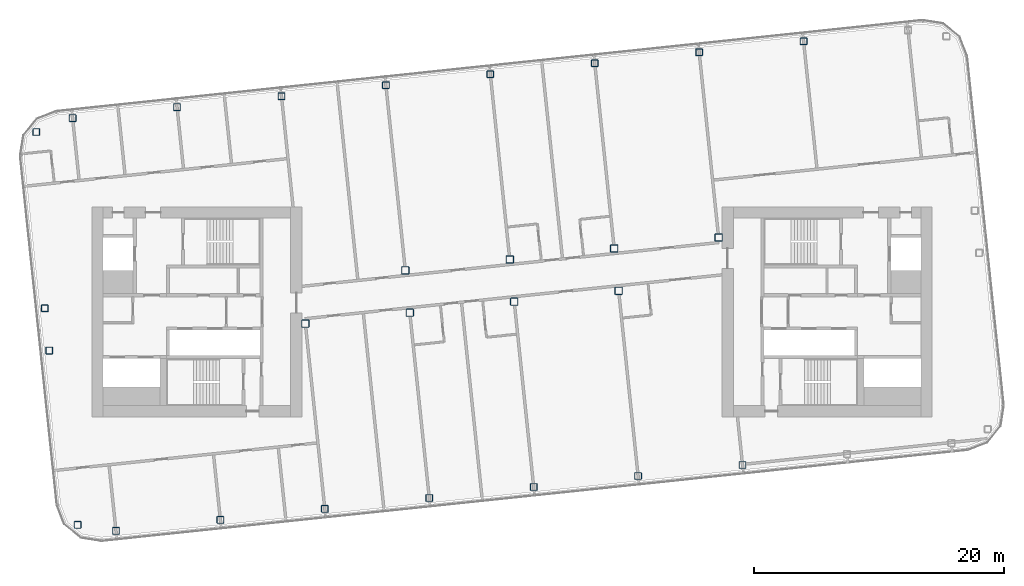
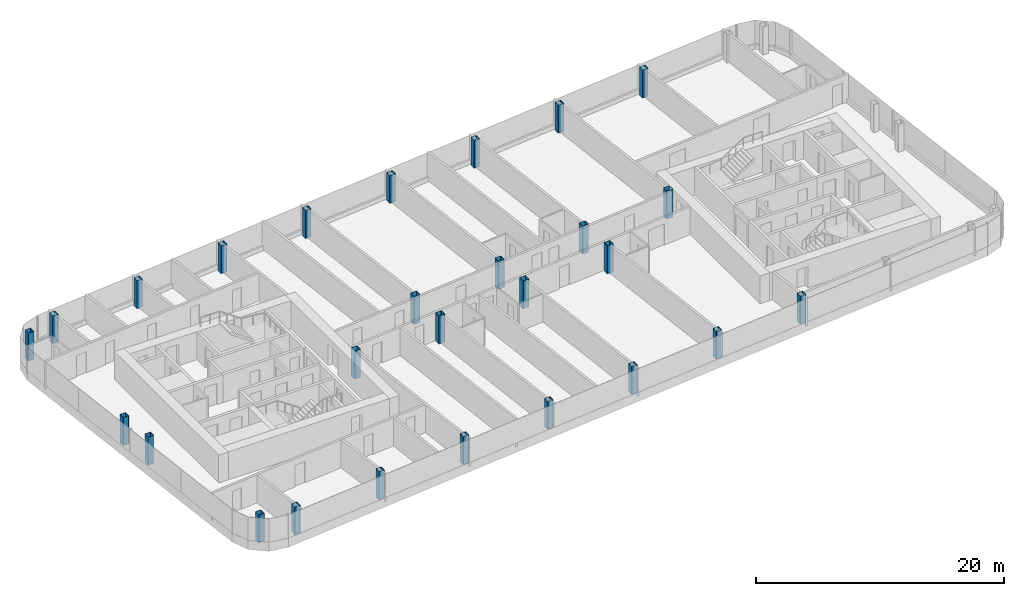
# One storey, part 1 of 27: 27 columns.
"""IFC4 building model written with IfcOpenShell, lengths in metres."""

from ifc_helpers import new_model, si_unit, direction, frame, origin, origin_2d, place, context, subcontext, project, spatial, hollow_rectangle, extrude, material, material_profile, profile_set, type_object, element, save


model = new_model("IFC4")

# Units and contexts
model_context = context("Model", 3, precision=1e-05, world=origin(), true_north=direction((0.0, 1.0)))
body_context = subcontext(model_context, "Body", "Model", "MODEL_VIEW")
ifc_project = project(units=[si_unit("LENGTHUNIT", "METRE"), si_unit("AREAUNIT", "SQUARE_METRE"), si_unit("VOLUMEUNIT", "CUBIC_METRE"), si_unit("PLANEANGLEUNIT", "RADIAN"), si_unit("MASSUNIT", "GRAM", prefix="KILO")], contexts=[model_context])

# Site, building, storey
site_placement = place(None, origin())
site = spatial("IfcSite", under=ifc_project, at=site_placement, CompositionType="ELEMENT")
building_placement = place(site_placement, origin())
building = spatial("IfcBuilding", under=site, at=building_placement, Name="Hakoniwa Tower and Hamabe Station Hall", CompositionType="ELEMENT")
storey_placement = place(building_placement, frame((0.0, 0.0, 242.199951171875)))
storey = spatial("IfcBuildingStorey", under=building, at=storey_placement, Name="L68", CompositionType="ELEMENT", Elevation=242.199951171875)

# Columns
ifc_material_1 = material(Name="Steel BCP325", Category="steel")
ifc_material_profile_1 = material_profile(ifc_material_1, hollow_rectangle(XDim=0.550048828125, YDim=0.550048828125, WallThickness=0.02197265625, InnerFilletRadius=0.032958984375, OuterFilletRadius=0.054931640625, at=origin_2d()), Name="BCP-550x550x22")
ifc_profile_set_1 = profile_set([ifc_material_profile_1], Name="Steel BCP325")
column_type_1 = type_object("IfcColumnType", Name="COLUMN BCP-550x550x22", PredefinedType="COLUMN", material=ifc_profile_set_1)
for number, where, z_axis, x_axis, name in (
    (1, (-34.750732421875, -17.04248046875, 0.0), (0.0, 0.0, 1.0), (1.0, 0.0, 0.0), "Column B5-EW-A5"),
    (2, (-37.017333984375, -3.10009765625, 0.0), (0.0, 0.0, 1.0), (1.0, 0.0, 0.0), "Column B5-EW-C5"),
    (3, (-37.372802734375, 0.28125, 0.0), (0.0, 0.0, 1.0), (1.0, 0.0, 0.0), "Column B5-EW-D5"),
    (4, (-38.054443359375, 14.390380859375, 0.0), (0.0, 0.0, 1.0), (1.0, 0.0, 0.0), "Column B5-EW-F5"),
    (5, (-31.680908203125, -17.521240234375, 0.0), (0.0, 0.0, 1.0), (1.0, 0.0, 0.0), "Column B5-3-A5"),
    (6, (-35.151123046875, 15.496826171875, 0.0), (0.0, 0.0, 1.0), (1.0, 0.0, 0.0), "Column B5-3-F5"),
    (7, (-23.326904296875, -16.643310546875, 0.0), (0.0, 0.0, 1.0), (1.0, 0.0, 0.0), "Column B5-4-A5"),
    (8, (-26.797119140625, 16.375, 0.0), (0.0, 0.0, 1.0), (1.0, 0.0, 0.0), "Column B5-4-F5"),
    (9, (-14.972900390625, -15.76513671875, 0.0), (0.0, 0.0, 1.0), (1.0, 0.0, 0.0), "Column B5-5-A5"),
    (10, (-18.443115234375, 17.2529296875, 0.0), (0.0, 0.0, 1.0), (1.0, 0.0, 0.0), "Column B5-5-F5"),
    (11, (-6.618896484375, -14.88720703125, 0.0), (0.0, 0.0, 1.0), (1.0, 0.0, 0.0), "Column B5-6-A5"),
    (12, (-10.089111328125, 18.131103515625, 0.0), (0.0, 0.0, 1.0), (1.0, 0.0, 0.0), "Column B5-6-F5"),
    (13, (1.735107421875, -14.009033203125, 0.0), (0.0, 0.0, 1.0), (1.0, 0.0, 0.0), "Column B5-7-A5"),
    (14, (-1.735107421875, 19.009033203125, 0.0), (0.0, 0.0, 1.0), (1.0, 0.0, 0.0), "Column B5-7-F5"),
    (15, (10.089111328125, -13.131103515625, 0.0), (0.0, 0.0, 1.0), (1.0, 0.0, 0.0), "Column B5-8-A5"),
    (16, (6.618896484375, 19.88720703125, 0.0), (0.0, 0.0, 1.0), (1.0, 0.0, 0.0), "Column B5-8-F5"),
    (17, (18.443115234375, -12.2529296875, 0.0), (0.0, 0.0, 1.0), (1.0, 0.0, 0.0), "Column B5-9-A5"),
    (18, (14.972900390625, 20.76513671875, 0.0), (0.0, 0.0, 1.0), (1.0, 0.0, 0.0), "Column B5-9-F5"),
    (19, (23.326904296875, 21.643310546875, 0.0), (0.0, 0.0, 1.0), (1.0, 0.0, 0.0), "Column B5-10-F5"),
):
    element("IfcColumn", number, at=place(storey_placement, frame(where, z_axis=z_axis, x_axis=x_axis)), inside=storey, type_object=column_type_1, Name=name, PredefinedType="COLUMN", context=body_context, shape_type="SweptSolid", body=[
        extrude(hollow_rectangle(XDim=0.550048828125, YDim=0.550048828125, WallThickness=0.02197265625, InnerFilletRadius=0.032958984375, OuterFilletRadius=0.054931640625, at=origin_2d()), origin(), (0.0, 0.0, 1.0), 2.75),
    ])
ifc_material_2 = material(Name="Steel BCP325", Category="steel")
ifc_material_profile_2 = material_profile(ifc_material_2, hollow_rectangle(XDim=0.60009765625, YDim=0.60009765625, WallThickness=0.02490234375, InnerFilletRadius=0.03759765625, OuterFilletRadius=0.0625, at=origin_2d()), Name="BCP-600x600x25")
ifc_profile_set_2 = profile_set([ifc_material_profile_2], Name="Steel BCP325")
column_type_2 = type_object("IfcColumnType", Name="COLUMN BCP-600x600x25", PredefinedType="COLUMN", material=ifc_profile_set_2)
for number, where, z_axis, x_axis, name in (
    (20, (-16.5302734375, -0.94677734375, 0.0), (0.0, 0.0, 1.0), (1.0, 0.0, 0.0), "Column B5-5-C5"),
    (21, (-8.17626953125, -0.068603515625, 0.0), (0.0, 0.0, 1.0), (1.0, 0.0, 0.0), "Column B5-6-C5"),
    (22, (-8.53173828125, 3.3125, 0.0), (0.0, 0.0, 1.0), (1.0, 0.0, 0.0), "Column B5-6-D5"),
    (23, (0.177734375, 0.809326171875, 0.0), (0.0, 0.0, 1.0), (1.0, 0.0, 0.0), "Column B5-7-C5"),
    (24, (-0.177734375, 4.190673828125, 0.0), (0.0, 0.0, 1.0), (1.0, 0.0, 0.0), "Column B5-7-D5"),
    (25, (8.53173828125, 1.6875, 0.0), (0.0, 0.0, 1.0), (1.0, 0.0, 0.0), "Column B5-8-C5"),
    (26, (8.17626953125, 5.068603515625, 0.0), (0.0, 0.0, 1.0), (1.0, 0.0, 0.0), "Column B5-8-D5"),
    (27, (16.5302734375, 5.94677734375, 0.0), (0.0, 0.0, 1.0), (1.0, 0.0, 0.0), "Column B5-9-D5"),
):
    element("IfcColumn", number, at=place(storey_placement, frame(where, z_axis=z_axis, x_axis=x_axis)), inside=storey, type_object=column_type_2, Name=name, PredefinedType="COLUMN", context=body_context, shape_type="SweptSolid", body=[
        extrude(hollow_rectangle(XDim=0.60009765625, YDim=0.60009765625, WallThickness=0.02490234375, InnerFilletRadius=0.03759765625, OuterFilletRadius=0.0625, at=origin_2d()), origin(), (0.0, 0.0, 1.0), 2.75),
    ])

save(model, "model.ifc")
